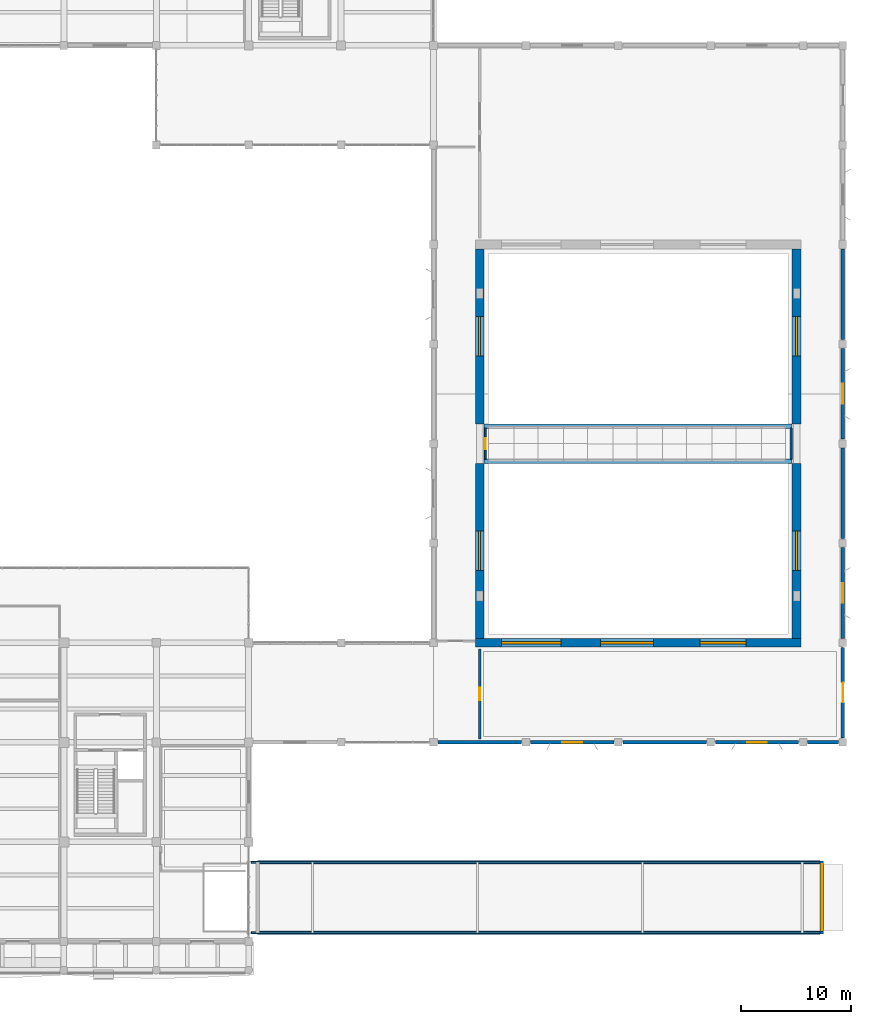
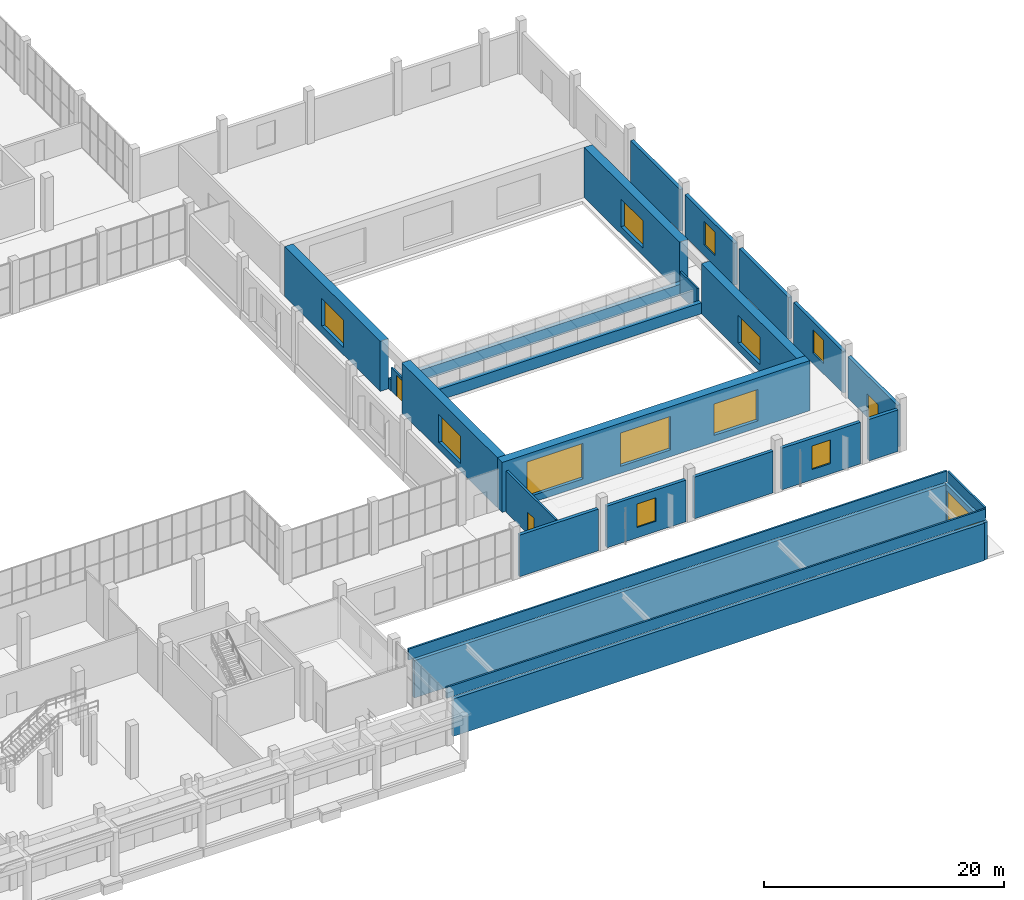
# One storey, part 83 of 91: 26 walls, 11 windows, 4 doors, 15 openings.
"""IFC4 building model written with IfcOpenShell, lengths in metres."""

import ifcopenshell
import ifcopenshell.guid

model = None  # the IFC model being written
_history = None  # IfcOwnerHistory: only IFC2X3 demands one
_inside = {}  # id of a spatial element -> (the spatial element, [elements in it])
_under = {}  # id of a project, library or spatial element -> (it, [spatial elements below it])
_declared = {}  # id of a project -> (the project, [libraries it declares])
_typed = {}  # id of a type object -> (the type object, [elements of that type])
_made_of = {}  # id of a material, layer set ... -> (it, [elements and type objects made of it])


def new_model(schema):
    """Start an empty IFC model of exactly this schema.

    Asked for "IFC4X3", IfcOpenShell would pick the latest addendum, in which some entities
    have other attributes; the version numbers below select the first issue.
    IFC2X3 requires an IfcOwnerHistory on every rooted entity: one is made here for all.
    """
    global model, _history
    if schema == "IFC4X3":
        model = ifcopenshell.file(schema_version=(4, 3, 0, 0))
    else:
        model = ifcopenshell.file(schema=schema)
    _inside.clear()
    _under.clear()
    _declared.clear()
    _typed.clear()
    _made_of.clear()
    _history = None
    if model.schema == "IFC2X3":
        org = make("IfcOrganization", Name="unknown")
        user = make(
            "IfcPersonAndOrganization",
            ThePerson=make("IfcPerson", FamilyName="unknown"),
            TheOrganization=org,
        )
        app = make(
            "IfcApplication",
            ApplicationDeveloper=org,
            Version="unknown",
            ApplicationFullName="unknown",
            ApplicationIdentifier="unknown",
        )
        _history = make(
            "IfcOwnerHistory",
            OwningUser=user,
            OwningApplication=app,
            ChangeAction="ADDED",
            CreationDate=0,
        )
    return model


def make(cls, **values):
    """One entity of the class cls with the attributes given. An attribute that is None is left unset."""
    return model.create_entity(
        cls, **{name: value for name, value in values.items() if value is not None}
    )


def rooted(cls, **values):
    """An entity with a GlobalId (a new one), such as an element, a storey or a relation."""
    return make(cls, GlobalId=ifcopenshell.guid.new(), OwnerHistory=_history, **values)


def si_unit(unit_type, name, prefix=None):
    """IfcSIUnit, for example si_unit("LENGTHUNIT", "METRE", prefix="MILLI")."""
    return make("IfcSIUnit", UnitType=unit_type, Prefix=prefix, Name=name)


def assignment(units):
    """IfcUnitAssignment: the units of a project."""
    return None if units is None else make("IfcUnitAssignment", Units=units)


def point(xyz):
    """IfcCartesianPoint."""
    return None if xyz is None else make("IfcCartesianPoint", Coordinates=xyz)


def direction(xyz):
    """IfcDirection."""
    return None if xyz is None else make("IfcDirection", DirectionRatios=xyz)


def frame(location, z_axis=None, x_axis=None):
    """IfcAxis2Placement3D, a coordinate frame: its origin and axes. An axis left out is left unset."""
    return make(
        "IfcAxis2Placement3D",
        Location=point(location),
        Axis=direction(z_axis),
        RefDirection=direction(x_axis),
    )


def frame_2d(location, x_axis=None):
    """IfcAxis2Placement2D, a coordinate frame in the plane: its origin and x axis."""
    return make(
        "IfcAxis2Placement2D", Location=point(location), RefDirection=direction(x_axis)
    )


def origin():
    """The frame at (0, 0, 0) with its axes left unset."""
    return frame((0.0, 0.0, 0.0))


def place(relative_to, where):
    """IfcLocalPlacement: puts the frame where relative to a parent placement (None: the world)."""
    return make(
        "IfcLocalPlacement", PlacementRelTo=relative_to, RelativePlacement=where
    )


def context(
    kind, dimensions, precision=None, world=None, true_north=None, identifier=None
):
    """IfcGeometricRepresentationContext, for example the 3D "Model" context."""
    return make(
        "IfcGeometricRepresentationContext",
        ContextIdentifier=identifier,
        ContextType=kind,
        CoordinateSpaceDimension=dimensions,
        Precision=precision,
        WorldCoordinateSystem=world,
        TrueNorth=true_north,
    )


def subcontext(parent, identifier, kind, view, scale=None):
    """IfcGeometricRepresentationSubContext, for example "Body" below "Model"."""
    return make(
        "IfcGeometricRepresentationSubContext",
        ContextIdentifier=identifier,
        ContextType=kind,
        ParentContext=parent,
        TargetScale=scale,
        TargetView=view,
    )


def project(units=None, contexts=None):
    """IfcProject with its units and contexts."""
    return rooted(
        "IfcProject",
        Name="project",
        RepresentationContexts=contexts,
        UnitsInContext=assignment(units),
    )


def spatial(cls, under=None, at=None, **own):
    """A site, building, storey or space (cls), placed at a placement, below another one or the project."""
    s = rooted(cls, ObjectPlacement=at, **own)
    if under is not None:
        _under.setdefault(under.id(), (under, []))[1].append(s)
    return s


def profile(cls, at=None, kind="AREA", **sizes):
    """A parametric profile (cls). Its sizes go by their IFC names, for example OverallWidth=200.0."""
    return make(cls, ProfileType=kind, Position=at, **sizes)


def rectangle(**sizes):
    """IfcRectangleProfileDef."""
    return profile("IfcRectangleProfileDef", **sizes)


def extrude(swept, where, along, depth):
    """IfcExtrudedAreaSolid: the profile swept, set in the frame where, extruded along a direction by depth."""
    return make(
        "IfcExtrudedAreaSolid",
        SweptArea=swept,
        Position=where,
        ExtrudedDirection=direction(along),
        Depth=depth,
    )


def shape(context_of_items, identifier, shape_type, items):
    """IfcShapeRepresentation: the items that make up one representation, for example the "Body"."""
    return make(
        "IfcShapeRepresentation",
        ContextOfItems=context_of_items,
        RepresentationIdentifier=identifier,
        RepresentationType=shape_type,
        Items=items,
    )


def material(Name=None, Category=None):
    """IfcMaterial."""
    return make("IfcMaterial", Name=Name, Category=Category)


def layer(
    of_material, thickness, ventilated=None, Name=None, Category=None, Priority=None
):
    """IfcMaterialLayer: one layer of a wall or slab, of a material (None: an air gap)."""
    return make(
        "IfcMaterialLayer",
        Material=of_material,
        LayerThickness=thickness,
        IsVentilated=ventilated,
        Name=Name,
        Category=Category,
        Priority=Priority,
    )


def layer_set(layers, Name=None):
    """IfcMaterialLayerSet."""
    return make("IfcMaterialLayerSet", MaterialLayers=layers, LayerSetName=Name)


def made_of(thing, what):
    """Note that an element or type object is made of a material, layer set ...; save() writes the relation."""
    if what is not None:
        _made_of.setdefault(what.id(), (what, []))[1].append(thing)
    return thing


def type_object(cls, material=None, **own):
    """A type object (cls), such as IfcWallType, which elements share."""
    return made_of(rooted(cls, **own), material)


def element(
    cls,
    number,
    at=None,
    inside=None,
    cuts=None,
    type_object=None,
    material=None,
    context=None,
    identifier="Body",
    shape_type=None,
    held_by="IfcProductDefinitionShape",
    body=None,
    shapes=None,
    **own,
):
    """One element of the class cls, such as IfcWall. Its Tag is "e" and its number.

    at: its placement. inside: the storey or other place that contains it. cuts: it is an
    opening in that element (IfcRelVoidsElement). A single representation is given by context,
    identifier, shape_type and body (its items); several are given by shapes. held_by: the class
    of the entity that holds the representations. save() writes the other relations.
    """
    e = rooted(cls, Tag="e%d" % number, ObjectPlacement=at, **own)
    if body is not None:
        shapes = [shape(context, identifier, shape_type, body)]
    if shapes is not None:
        e.Representation = make(held_by, Representations=shapes)
    if inside is not None:
        _inside.setdefault(inside.id(), (inside, []))[1].append(e)
    if cuts is not None:
        rooted(
            "IfcRelVoidsElement", RelatingBuildingElement=cuts, RelatedOpeningElement=e
        )
    if type_object is not None:
        _typed.setdefault(type_object.id(), (type_object, []))[1].append(e)
    return made_of(e, material)


def fill(opening, filler):
    """IfcRelFillsElement: the door or window that sits in an opening."""
    return rooted(
        "IfcRelFillsElement",
        RelatingOpeningElement=opening,
        RelatedBuildingElement=filler,
    )


def aggregate(whole, parts):
    """IfcRelAggregates: a whole, such as a stair, and the parts it consists of."""
    return rooted("IfcRelAggregates", RelatingObject=whole, RelatedObjects=parts)


def save(model, path):
    """Write the relations noted so far, then the file.

    IfcRelAggregates (storeys below a building ...), IfcRelContainedInSpatialStructure (elements
    in a storey), IfcRelDefinesByType, IfcRelAssociatesMaterial and IfcRelDeclares: one each for
    every whole, place, type object, material and project.
    """
    for whole, parts in _under.values():
        aggregate(whole, parts)
    for where, things in _inside.values():
        rooted(
            "IfcRelContainedInSpatialStructure",
            RelatedElements=things,
            RelatingStructure=where,
        )
    for kind, things in _typed.values():
        rooted("IfcRelDefinesByType", RelatedObjects=things, RelatingType=kind)
    for what, things in _made_of.values():
        rooted("IfcRelAssociatesMaterial", RelatedObjects=things, RelatingMaterial=what)
    for by, libraries in _declared.values():
        rooted("IfcRelDeclares", RelatingContext=by, RelatedDefinitions=libraries)
    model.write(path)


model = new_model("IFC4")

# Units and contexts
model_context = context("Model", 3, precision=1e-05, world=origin(), true_north=direction((0.0, 1.0)))
body_context = subcontext(model_context, "Body", "Model", "MODEL_VIEW")
ifc_project = project(units=[si_unit("LENGTHUNIT", "METRE"), si_unit("AREAUNIT", "SQUARE_METRE"), si_unit("VOLUMEUNIT", "CUBIC_METRE"), si_unit("PLANEANGLEUNIT", "RADIAN"), si_unit("MASSUNIT", "GRAM", prefix="KILO")], contexts=[model_context])

# Site, building, storey
site_placement = place(None, origin())
site = spatial("IfcSite", under=ifc_project, at=site_placement, CompositionType="ELEMENT")
building_placement = place(site_placement, origin())
building = spatial("IfcBuilding", under=site, at=building_placement, Name="Khurvash Pelagic Aquarium", CompositionType="ELEMENT")
storey_placement = place(building_placement, origin())
storey = spatial("IfcBuildingStorey", under=building, at=storey_placement, Name="L00", CompositionType="ELEMENT", Elevation=0.0)

# Wall, opening, door
ifc_material_1 = material(Name="Precast concrete C40/50", Category="concrete")
ifc_layer_1 = layer(ifc_material_1, 0.300048828125)
ifc_layer_set_1 = layer_set([ifc_layer_1], Name="Precast concrete C40/50")
wall_type_1 = type_object("IfcWallType", Name="EW-300", PredefinedType="STANDARD", material=ifc_layer_set_1)
wall_1_placement = place(storey_placement, frame((161.300048828125, 3.300048828125, 0.0), z_axis=(0.0, 0.0, 1.0), x_axis=(0.0, 1.0, 0.0)))
wall_1 = element("IfcWall", 1, at=wall_1_placement, inside=storey, type_object=wall_type_1, Name="L00 Car Park Ramp East Portal Wall", PredefinedType="STANDARD", context=body_context, shape_type="SweptSolid", body=[
    extrude(rectangle(XDim=6.599853515625, YDim=0.300048828125, at=frame_2d((3.2998046875, 0.0))), origin(), (0.0, 0.0, 1.0), 3.800048828125),
])
opening_1_placement = place(wall_1_placement, frame((0.300048828125, 0.0, 0.0)))
opening_1 = element("IfcOpeningElement", 2, at=opening_1_placement, cuts=wall_1, Name="Opening VG-01", PredefinedType="OPENING", context=body_context, shape_type="SweptSolid", body=[
    extrude(rectangle(XDim=6.0, YDim=3.199951171875, at=frame_2d((3.0, 1.60009765625))), frame((0.0, 0.16015625, 0.0), z_axis=(0.0, -1.0, 0.0), x_axis=(1.0, 0.0, 0.0)), (0.0, 0.0, 1.0), 0.320068359375),
])
ifc_material_2 = material(Name="Perforated anodised aluminium roller shutter", Category="aluminium")
door_type_1 = type_object("IfcDoorType", Name="VG-01", OperationType="ROLLINGUP", PredefinedType="GATE", material=ifc_material_2)
door_1_placement = place(opening_1_placement, frame((6.0, 0.0, 0.0), z_axis=(0.0, 0.0, 1.0), x_axis=(-1.0, 0.0, 0.0)))
door_1 = element("IfcDoor", 3, at=door_1_placement, inside=storey, type_object=door_type_1, Name="DR-0062", OperationType="ROLLINGUP", OverallHeight=3.199951171875, OverallWidth=6.0, PredefinedType="GATE", context=body_context, shape_type="SweptSolid", body=[
    extrude(rectangle(XDim=6.0, YDim=3.199951171875, at=frame_2d((3.0, 1.60009765625))), frame((0.0, 0.02490234375, 0.0), z_axis=(0.0, -1.0, 0.0), x_axis=(1.0, 0.0, 0.0)), (0.0, 0.0, 1.0), 0.050048828125),
])
fill(opening_1, door_1)

ifc_layer_2 = layer(ifc_material_1, 0.320068359375)
ifc_layer_set_2 = layer_set([ifc_layer_2], Name="Precast concrete C40/50")
wall_type_2 = type_object("IfcWallType", Name="EW-320", PredefinedType="STANDARD", material=ifc_layer_set_2)
wall_2_placement = place(storey_placement, frame((163.199951171875, 21.110107421875, 0.0), z_axis=(0.0, 0.0, 1.0), x_axis=(0.0, 1.0, 0.0)))
wall_2 = element("IfcWall", 4, at=wall_2_placement, inside=storey, type_object=wall_type_2, Name="L00 Ocean Tank Hall East Containment Wall EW-320 B1", PredefinedType="STANDARD", context=body_context, shape_type="SweptSolid", body=[
    extrude(rectangle(XDim=8.22998046875, YDim=0.320068359375, at=frame_2d((4.114990234375, 0.0))), origin(), (0.0, 0.0, 1.0), 4.239990234375),
])
opening_2_placement = place(wall_2_placement, frame((3.215087890625, 0.0, 0.0)))
opening_2 = element("IfcOpeningElement", 5, at=opening_2_placement, cuts=wall_2, Name="Opening ED-01", PredefinedType="OPENING", context=body_context, shape_type="SweptSolid", body=[
    extrude(rectangle(XDim=1.800048828125, YDim=2.39990234375, at=frame_2d((0.89990234375, 1.199951171875))), frame((0.0, 0.169921875, 0.0), z_axis=(0.0, -1.0, 0.0), x_axis=(1.0, 0.0, 0.0)), (0.0, 0.0, 1.0), 0.340087890625),
])
ifc_material_3 = material(Name="Thermally broken glazed aluminium", Category="aluminium")
door_type_2 = type_object("IfcDoorType", Name="ED-01", OperationType="DOUBLE_DOOR_SINGLE_SWING", PredefinedType="DOOR", material=ifc_material_3)
door_2_placement = place(opening_2_placement, frame((1.800048828125, 0.0, 0.0), z_axis=(0.0, 0.0, 1.0), x_axis=(-1.0, 0.0, 0.0)))
door_2 = element("IfcDoor", 6, at=door_2_placement, inside=storey, type_object=door_type_2, Name="DR-0060", OperationType="DOUBLE_DOOR_SINGLE_SWING", OverallHeight=2.39990234375, OverallWidth=1.800048828125, PredefinedType="DOOR", context=body_context, shape_type="SweptSolid", body=[
    extrude(rectangle(XDim=1.800048828125, YDim=2.39990234375, at=frame_2d((0.89990234375, 1.199951171875))), frame((0.0, 0.02490234375, 0.0), z_axis=(0.0, -1.0, 0.0), x_axis=(1.0, 0.0, 0.0)), (0.0, 0.0, 1.0), 0.050048828125),
])
fill(opening_2, door_2)

# Wall, opening, window
wall_3_placement = place(storey_placement, frame((163.199951171875, 30.159912109375, 0.0), z_axis=(0.0, 0.0, 1.0), x_axis=(0.0, 1.0, 0.0)))
wall_3 = element("IfcWall", 7, at=wall_3_placement, inside=storey, type_object=wall_type_2, Name="L00 Ocean Tank Hall East Containment Wall EW-320 B2", PredefinedType="STANDARD", context=body_context, shape_type="SweptSolid", body=[
    extrude(rectangle(XDim=8.22998046875, YDim=0.320068359375, at=frame_2d((4.114990234375, 0.0))), origin(), (0.0, 0.0, 1.0), 4.239990234375),
])
opening_3_placement = place(wall_3_placement, frame((3.215087890625, 0.0, 1.050048828125)))
opening_3 = element("IfcOpeningElement", 8, at=opening_3_placement, cuts=wall_3, Name="Opening WN-01", PredefinedType="OPENING", context=body_context, shape_type="SweptSolid", body=[
    extrude(rectangle(XDim=1.800048828125, YDim=2.39990234375, at=frame_2d((0.89990234375, 1.199951171875))), frame((0.0, 0.169921875, 0.0), z_axis=(0.0, -1.0, 0.0), x_axis=(1.0, 0.0, 0.0)), (0.0, 0.0, 1.0), 0.340087890625),
])
ifc_material_4 = material(Name="Thermally broken aluminium and low-E glass", Category="aluminium")
window_type_1 = type_object("IfcWindowType", Name="WN-01", PartitioningType="SINGLE_PANEL", PredefinedType="WINDOW", material=ifc_material_4)
window_1_placement = place(opening_3_placement, origin())
window_1 = element("IfcWindow", 9, at=window_1_placement, inside=storey, type_object=window_type_1, Name="L00 Ocean Hall Deep-Set Oceanic Portal Window WN-01", OverallHeight=2.39990234375, OverallWidth=1.800048828125, PartitioningType="SINGLE_PANEL", PredefinedType="WINDOW", context=body_context, shape_type="SweptSolid", body=[
    extrude(rectangle(XDim=1.800048828125, YDim=2.39990234375, at=frame_2d((0.89990234375, 1.199951171875))), frame((0.0, 0.030029296875, 0.0), z_axis=(0.0, -1.0, 0.0), x_axis=(1.0, 0.0, 0.0)), (0.0, 0.0, 1.0), 0.06005859375),
])
fill(opening_3, window_1)

# Wall
wall_4_placement = place(storey_placement, frame((163.199951171875, 39.2099609375, 0.0), z_axis=(0.0, 0.0, 1.0), x_axis=(0.0, 1.0, 0.0)))
element("IfcWall", 10, at=wall_4_placement, inside=storey, type_object=wall_type_2, Name="L00 Ocean Tank Hall East Containment Wall EW-320 B3", PredefinedType="STANDARD", context=body_context, shape_type="SweptSolid", body=[
    extrude(rectangle(XDim=8.22998046875, YDim=0.320068359375, at=frame_2d((4.114990234375, 0.0))), origin(), (0.0, 0.0, 1.0), 4.239990234375),
])

# Wall, opening, window
wall_5_placement = place(storey_placement, frame((163.199951171875, 48.260009765625, 0.0), z_axis=(0.0, 0.0, 1.0), x_axis=(0.0, 1.0, 0.0)))
wall_5 = element("IfcWall", 11, at=wall_5_placement, inside=storey, type_object=wall_type_2, Name="L00 Ocean Tank Hall East Containment Wall EW-320 B4", PredefinedType="STANDARD", context=body_context, shape_type="SweptSolid", body=[
    extrude(rectangle(XDim=8.22998046875, YDim=0.320068359375, at=frame_2d((4.114990234375, 0.0))), origin(), (0.0, 0.0, 1.0), 4.239990234375),
])
opening_4_placement = place(wall_5_placement, frame((3.215087890625, 0.0, 1.050048828125)))
opening_4 = element("IfcOpeningElement", 12, at=opening_4_placement, cuts=wall_5, Name="Opening WN-01", PredefinedType="OPENING", context=body_context, shape_type="SweptSolid", body=[
    extrude(rectangle(XDim=1.800048828125, YDim=2.39990234375, at=frame_2d((0.89990234375, 1.199951171875))), frame((0.0, 0.169921875, 0.0), z_axis=(0.0, -1.0, 0.0), x_axis=(1.0, 0.0, 0.0)), (0.0, 0.0, 1.0), 0.340087890625),
])
window_2_placement = place(opening_4_placement, origin())
window_2 = element("IfcWindow", 13, at=window_2_placement, inside=storey, type_object=window_type_1, Name="L00 Ocean Hall Deep-Set Oceanic Portal Window WN-01", OverallHeight=2.39990234375, OverallWidth=1.800048828125, PartitioningType="SINGLE_PANEL", PredefinedType="WINDOW", context=body_context, shape_type="SweptSolid", body=[
    extrude(rectangle(XDim=1.800048828125, YDim=2.39990234375, at=frame_2d((0.89990234375, 1.199951171875))), frame((0.0, 0.030029296875, 0.0), z_axis=(0.0, -1.0, 0.0), x_axis=(1.0, 0.0, 0.0)), (0.0, 0.0, 1.0), 0.06005859375),
])
fill(opening_4, window_2)

# Walls
wall_6_placement = place(storey_placement, frame((163.199951171875, 57.31005859375, 0.0), z_axis=(0.0, 0.0, 1.0), x_axis=(0.0, 1.0, 0.0)))
element("IfcWall", 14, at=wall_6_placement, inside=storey, type_object=wall_type_2, Name="L00 Ocean Tank Hall East Containment Wall EW-320 B5", PredefinedType="STANDARD", context=body_context, shape_type="SweptSolid", body=[
    extrude(rectangle(XDim=8.22998046875, YDim=0.320068359375, at=frame_2d((4.114990234375, 0.0))), origin(), (0.0, 0.0, 1.0), 4.239990234375),
])
wall_7_placement = place(storey_placement, frame((126.409912109375, 20.699951171875, 0.0), z_axis=(0.0, 0.0, 1.0), x_axis=(1.0, 0.0, 0.0)))
element("IfcWall", 15, at=wall_7_placement, inside=storey, type_object=wall_type_2, Name="L00 Ocean Tank Hall South Containment Wall EW-320 B1.1", PredefinedType="STANDARD", context=body_context, shape_type="SweptSolid", body=[
    extrude(rectangle(XDim=7.580078125, YDim=0.320068359375, at=frame_2d((3.7900390625, 0.0))), origin(), (0.0, 0.0, 1.0), 4.22998046875),
])

# Wall, opening, window
wall_8_placement = place(storey_placement, frame((134.81005859375, 20.699951171875, 0.0), z_axis=(0.0, 0.0, 1.0), x_axis=(1.0, 0.0, 0.0)))
wall_8 = element("IfcWall", 16, at=wall_8_placement, inside=storey, type_object=wall_type_2, Name="L00 Ocean Tank Hall South Containment Wall EW-320 B2.1", PredefinedType="STANDARD", context=body_context, shape_type="SweptSolid", body=[
    extrude(rectangle(XDim=7.579833984375, YDim=0.320068359375, at=frame_2d((3.7900390625, 0.0))), origin(), (0.0, 0.0, 1.0), 4.22998046875),
])
opening_5_placement = place(wall_8_placement, frame((2.889892578125, 0.0, 1.050048828125)))
opening_5 = element("IfcOpeningElement", 17, at=opening_5_placement, cuts=wall_8, Name="Opening WN-01", PredefinedType="OPENING", context=body_context, shape_type="SweptSolid", body=[
    extrude(rectangle(XDim=1.800048828125, YDim=2.39990234375, at=frame_2d((0.89990234375, 1.199951171875))), frame((0.0, 0.169921875, 0.0), z_axis=(0.0, -1.0, 0.0), x_axis=(1.0, 0.0, 0.0)), (0.0, 0.0, 1.0), 0.340087890625),
])
window_3_placement = place(opening_5_placement, origin())
window_3 = element("IfcWindow", 18, at=window_3_placement, inside=storey, type_object=window_type_1, Name="L00 Ocean Hall South Viewing Portal Window WN-01", OverallHeight=2.39990234375, OverallWidth=1.800048828125, PartitioningType="SINGLE_PANEL", PredefinedType="WINDOW", context=body_context, shape_type="SweptSolid", body=[
    extrude(rectangle(XDim=1.800048828125, YDim=2.39990234375, at=frame_2d((0.89990234375, 1.199951171875))), frame((0.0, 0.030029296875, 0.0), z_axis=(0.0, -1.0, 0.0), x_axis=(1.0, 0.0, 0.0)), (0.0, 0.0, 1.0), 0.06005859375),
])
fill(opening_5, window_3)

# Wall
wall_9_placement = place(storey_placement, frame((143.2099609375, 20.699951171875, 0.0), z_axis=(0.0, 0.0, 1.0), x_axis=(1.0, 0.0, 0.0)))
element("IfcWall", 19, at=wall_9_placement, inside=storey, type_object=wall_type_2, Name="L00 Ocean Tank Hall South Containment Wall EW-320 B3.1", PredefinedType="STANDARD", context=body_context, shape_type="SweptSolid", body=[
    extrude(rectangle(XDim=7.580078125, YDim=0.320068359375, at=frame_2d((3.7900390625, 0.0))), origin(), (0.0, 0.0, 1.0), 4.22998046875),
])

# Wall, opening, window
wall_10_placement = place(storey_placement, frame((151.610107421875, 20.699951171875, 0.0), z_axis=(0.0, 0.0, 1.0), x_axis=(1.0, 0.0, 0.0)))
wall_10 = element("IfcWall", 20, at=wall_10_placement, inside=storey, type_object=wall_type_2, Name="L00 Ocean Tank Hall South Containment Wall EW-320 B4.1", PredefinedType="STANDARD", context=body_context, shape_type="SweptSolid", body=[
    extrude(rectangle(XDim=7.579833984375, YDim=0.320068359375, at=frame_2d((3.7900390625, 0.0))), origin(), (0.0, 0.0, 1.0), 4.22998046875),
])
opening_6_placement = place(wall_10_placement, frame((2.889892578125, 0.0, 1.050048828125)))
opening_6 = element("IfcOpeningElement", 21, at=opening_6_placement, cuts=wall_10, Name="Opening WN-01", PredefinedType="OPENING", context=body_context, shape_type="SweptSolid", body=[
    extrude(rectangle(XDim=1.800048828125, YDim=2.39990234375, at=frame_2d((0.89990234375, 1.199951171875))), frame((0.0, 0.169921875, 0.0), z_axis=(0.0, -1.0, 0.0), x_axis=(1.0, 0.0, 0.0)), (0.0, 0.0, 1.0), 0.340087890625),
])
window_4_placement = place(opening_6_placement, origin())
window_4 = element("IfcWindow", 22, at=window_4_placement, inside=storey, type_object=window_type_1, Name="L00 Ocean Hall South Viewing Portal Window WN-01", OverallHeight=2.39990234375, OverallWidth=1.800048828125, PartitioningType="SINGLE_PANEL", PredefinedType="WINDOW", context=body_context, shape_type="SweptSolid", body=[
    extrude(rectangle(XDim=1.800048828125, YDim=2.39990234375, at=frame_2d((0.89990234375, 1.199951171875))), frame((0.0, 0.030029296875, 0.0), z_axis=(0.0, -1.0, 0.0), x_axis=(1.0, 0.0, 0.0)), (0.0, 0.0, 1.0), 0.06005859375),
])
fill(opening_6, window_4)

# Walls
wall_11_placement = place(storey_placement, frame((160.010009765625, 20.699951171875, 0.0), z_axis=(0.0, 0.0, 1.0), x_axis=(1.0, 0.0, 0.0)))
element("IfcWall", 23, at=wall_11_placement, inside=storey, type_object=wall_type_2, Name="L00 Ocean Tank Hall South Containment Wall EW-320 B5.1", PredefinedType="STANDARD", context=body_context, shape_type="SweptSolid", body=[
    extrude(rectangle(XDim=2.780029296875, YDim=0.320068359375, at=frame_2d((1.39013671875, 0.0))), origin(), (0.0, 0.0, 1.0), 4.22998046875),
])
ifc_layer_3 = layer(ifc_material_1, 0.179931640625)
ifc_layer_set_3 = layer_set([ifc_layer_3], Name="Precast concrete C40/50")
wall_type_3 = type_object("IfcWallType", Name="PP-180", PredefinedType="PARAPET", material=ifc_layer_set_3)
wall_12_placement = place(storey_placement, frame((109.449951171875, 3.39990234375, 4.02001953125), z_axis=(0.0, 0.0, 1.0), x_axis=(1.0, 0.0, 0.0)))
element("IfcWall", 24, at=wall_12_placement, inside=storey, type_object=wall_type_3, Name="L00 Ramp Hood Roof Parapet PP-180", PredefinedType="PARAPET", context=body_context, shape_type="SweptSolid", body=[
    extrude(rectangle(XDim=51.800048828125, YDim=0.179931640625, at=frame_2d((25.89990234375, 0.0))), origin(), (0.0, 0.0, 1.0), 1.119873046875),
])
wall_13_placement = place(storey_placement, frame((161.35009765625, 3.550048828125, 4.02001953125), z_axis=(0.0, 0.0, 1.0), x_axis=(0.0, 1.0, 0.0)))
element("IfcWall", 25, at=wall_13_placement, inside=storey, type_object=wall_type_3, Name="L00 Ramp Hood Roof Parapet PP-180", PredefinedType="PARAPET", context=body_context, shape_type="SweptSolid", body=[
    extrude(rectangle(XDim=6.099853515625, YDim=0.179931640625, at=frame_2d((3.0498046875, 0.0))), origin(), (0.0, 0.0, 1.0), 1.119873046875),
])
wall_14_placement = place(storey_placement, frame((161.25, 9.800048828125, 4.02001953125), z_axis=(0.0, 0.0, 1.0), x_axis=(-1.0, 0.0, 0.0)))
element("IfcWall", 26, at=wall_14_placement, inside=storey, type_object=wall_type_3, Name="L00 Ramp Hood Roof Parapet PP-180", PredefinedType="PARAPET", context=body_context, shape_type="SweptSolid", body=[
    extrude(rectangle(XDim=51.800048828125, YDim=0.179931640625, at=frame_2d((25.89990234375, 0.0))), origin(), (0.0, 0.0, 1.0), 1.119873046875),
])

# Wall, opening, door
ifc_material_5 = material(Name="AAC blockwork", Category="masonry")
ifc_layer_4 = layer(ifc_material_5, 0.169921875)
ifc_layer_set_4 = layer_set([ifc_layer_4], Name="AAC blockwork")
wall_type_4 = type_object("IfcWallType", Name="PW-170", PredefinedType="PARTITIONING", material=ifc_layer_set_4)
wall_15_placement = place(storey_placement, frame((130.699951171875, 46.43505859375, 0.0), z_axis=(0.0, 0.0, 1.0), x_axis=(0.0, 1.0, 0.0)))
wall_15 = element("IfcWall", 27, at=wall_15_placement, inside=storey, type_object=wall_type_4, Name="L00 Underwater Pelagic Walkthrough Tunnel Partition Wall PW-170", PredefinedType="PARTITIONING", context=body_context, shape_type="SweptSolid", body=[
    extrude(rectangle(XDim=2.829833984375, YDim=0.169921875, at=frame_2d((1.4150390625, 0.0))), origin(), (0.0, 0.0, 1.0), 2.39990234375),
])
opening_7_placement = place(wall_15_placement, frame((0.9150390625, 0.0, 0.0)))
opening_7 = element("IfcOpeningElement", 28, at=opening_7_placement, cuts=wall_15, Name="Opening ID-02", PredefinedType="OPENING", context=body_context, shape_type="SweptSolid", body=[
    extrude(rectangle(XDim=1.0, YDim=2.14990234375, at=frame_2d((0.5, 1.074951171875))), frame((0.0, 0.094970703125, 0.0), z_axis=(0.0, -1.0, 0.0), x_axis=(1.0, 0.0, 0.0)), (0.0, 0.0, 1.0), 0.18994140625),
])
ifc_material_6 = material(Name="High-pressure laminate solid-core timber", Category="wood")
door_type_3 = type_object("IfcDoorType", Name="ID-02", OperationType="NOTDEFINED", PredefinedType="DOOR", material=ifc_material_6)
door_3_placement = place(opening_7_placement, frame((1.0, 0.0, 0.0), z_axis=(0.0, 0.0, 1.0), x_axis=(-1.0, 0.0, 0.0)))
door_3 = element("IfcDoor", 29, at=door_3_placement, inside=storey, type_object=door_type_3, Name="DR-0072", OperationType="SINGLE_SWING_LEFT", OverallHeight=2.14990234375, OverallWidth=1.0, PredefinedType="DOOR", context=body_context, shape_type="SweptSolid", body=[
    extrude(rectangle(XDim=1.0, YDim=2.14990234375, at=frame_2d((0.5, 1.074951171875))), frame((0.0, 0.02490234375, 0.0), z_axis=(0.0, -1.0, 0.0), x_axis=(1.0, 0.0, 0.0)), (0.0, 0.0, 1.0), 0.050048828125),
])
fill(opening_7, door_3)

# Wall
wall_16_placement = place(storey_placement, frame((158.5, 46.43505859375, 0.0), z_axis=(0.0, 0.0, 1.0), x_axis=(0.0, 1.0, 0.0)))
element("IfcWall", 30, at=wall_16_placement, inside=storey, type_object=wall_type_4, Name="L00 Underwater Pelagic Walkthrough Tunnel Partition Wall PW-170", PredefinedType="PARTITIONING", context=body_context, shape_type="SweptSolid", body=[
    extrude(rectangle(XDim=2.829833984375, YDim=0.169921875, at=frame_2d((1.4150390625, 0.0))), origin(), (0.0, 0.0, 1.0), 2.39990234375),
])

# Wall, opening, door
ifc_layer_5 = layer(ifc_material_5, 0.199951171875)
ifc_layer_set_5 = layer_set([ifc_layer_5], Name="AAC blockwork")
wall_type_5 = type_object("IfcWallType", Name="PW-200", PredefinedType="PARTITIONING", material=ifc_layer_set_5)
wall_17_placement = place(storey_placement, frame((130.199951171875, 21.0, 0.0), z_axis=(0.0, 0.0, 1.0), x_axis=(0.0, 1.0, 0.0)))
wall_17 = element("IfcWall", 31, at=wall_17_placement, inside=storey, type_object=wall_type_5, Name="L00 Main Ocean Tank South Viewing Hall Partition Wall PW-200", PredefinedType="PARTITIONING", context=body_context, shape_type="SweptSolid", body=[
    extrude(rectangle(XDim=8.199951171875, YDim=0.199951171875, at=frame_2d((4.10009765625, 0.0))), origin(), (0.0, 0.0, 1.0), 4.22998046875),
])
opening_8_placement = place(wall_17_placement, frame((3.5400390625, 0.0, 0.0)))
opening_8 = element("IfcOpeningElement", 32, at=opening_8_placement, cuts=wall_17, Name="Opening ID-04", PredefinedType="OPENING", context=body_context, shape_type="SweptSolid", body=[
    extrude(rectangle(XDim=1.1201171875, YDim=2.199951171875, at=frame_2d((0.56005859375, 1.10009765625))), frame((0.0, 0.10986328125, 0.0), z_axis=(0.0, -1.0, 0.0), x_axis=(1.0, 0.0, 0.0)), (0.0, 0.0, 1.0), 0.219970703125),
])
ifc_material_7 = material(Name="Acoustic solid-core timber", Category="wood")
door_type_4 = type_object("IfcDoorType", Name="ID-04", OperationType="NOTDEFINED", PredefinedType="DOOR", material=ifc_material_7)
door_4_placement = place(opening_8_placement, frame((1.1201171875, 0.0, 0.0), z_axis=(0.0, 0.0, 1.0), x_axis=(-1.0, 0.0, 0.0)))
door_4 = element("IfcDoor", 33, at=door_4_placement, inside=storey, type_object=door_type_4, Name="DR-0071", OperationType="SINGLE_SWING_RIGHT", OverallHeight=2.199951171875, OverallWidth=1.1201171875, PredefinedType="DOOR", context=body_context, shape_type="SweptSolid", body=[
    extrude(rectangle(XDim=1.1201171875, YDim=2.199951171875, at=frame_2d((0.56005859375, 1.10009765625))), frame((0.0, 0.02490234375, 0.0), z_axis=(0.0, -1.0, 0.0), x_axis=(1.0, 0.0, 0.0)), (0.0, 0.0, 1.0), 0.050048828125),
])
fill(opening_8, door_4)

# Walls
ifc_material_8 = material(Name="Concrete C40/50", Category="concrete")
ifc_layer_6 = layer(ifc_material_8, 0.31494140625)
ifc_layer_set_6 = layer_set([ifc_layer_6], Name="Concrete C40/50")
wall_type_6 = type_object("IfcWallType", Name="SW-315", PredefinedType="SHEAR", material=ifc_layer_set_6)
for number, where, z_axis, x_axis, name in (
    (34, (110.010009765625, 3.3798828125, 0.0), (0.0, 0.0, 1.0), (1.0, 0.0, 0.0), "L00 Car Park Ramp South Headhouse Enclosure Wall"),
    (35, (110.010009765625, 9.820068359375, 0.0), (0.0, 0.0, 1.0), (1.0, 0.0, 0.0), "L00 Car Park Ramp North Headhouse Enclosure Wall"),
):
    element("IfcWall", number, at=place(storey_placement, frame(where, z_axis=z_axis, x_axis=x_axis)), inside=storey, type_object=wall_type_6, Name=name, PredefinedType="SHEAR", context=body_context, shape_type="SweptSolid", body=[
        extrude(rectangle(XDim=51.110107421875, YDim=0.31494140625, at=frame_2d((25.55517578125, 0.0))), origin(), (0.0, 0.0, 1.0), 3.800048828125),
    ])
ifc_material_9 = material(Name="Water-retaining concrete C40/50", Category="concrete")
ifc_layer_7 = layer(ifc_material_9, 0.39990234375)
ifc_layer_set_7 = layer_set([ifc_layer_7], Name="Water-retaining concrete C40/50")
wall_type_7 = type_object("IfcWallType", Name="TW-400", PredefinedType="SOLIDWALL", material=ifc_layer_set_7)
for number, where, z_axis, x_axis, name in (
    (36, (130.60009765625, 46.25, 0.0), (0.0, 0.0, 1.0), (1.0, 0.0, 0.0), "L00 Walkthrough Tunnel South Plinth Wall TW-400"),
    (37, (130.60009765625, 49.449951171875, 0.0), (0.0, 0.0, 1.0), (1.0, 0.0, 0.0), "L00 Walkthrough Tunnel North Plinth Wall TW-400"),
):
    element("IfcWall", number, at=place(storey_placement, frame(where, z_axis=z_axis, x_axis=x_axis)), inside=storey, type_object=wall_type_7, Name=name, PredefinedType="SOLIDWALL", context=body_context, shape_type="SweptSolid", body=[
        extrude(rectangle(XDim=28.0, YDim=0.39990234375, at=frame_2d((14.0, 0.0))), origin(), (0.0, 0.0, 1.0), 1.1201171875),
    ])

# Wall, openings, windows
ifc_layer_8 = layer(ifc_material_9, 0.800048828125)
ifc_layer_set_8 = layer_set([ifc_layer_8], Name="Water-retaining concrete C40/50")
wall_type_8 = type_object("IfcWallType", Name="TW-800", PredefinedType="SOLIDWALL", material=ifc_layer_set_8)
wall_18_placement = place(storey_placement, frame((129.800048828125, 29.75, 0.0), z_axis=(0.0, 0.0, 1.0), x_axis=(1.0, 0.0, 0.0)))
wall_18 = element("IfcWall", 38, at=wall_18_placement, inside=storey, type_object=wall_type_8, Name="L00 Ocean Tank South Containment Wall TW-800", PredefinedType="SOLIDWALL", context=body_context, shape_type="SweptSolid", body=[
    extrude(rectangle(XDim=29.599853515625, YDim=0.800048828125, at=frame_2d((14.7998046875, 0.0))), origin(), (0.0, 0.0, 1.0), 5.090087890625),
])
opening_9_placement = place(wall_18_placement, frame((2.39990234375, 0.0, 0.699951171875)))
opening_9 = element("IfcOpeningElement", 39, at=opening_9_placement, cuts=wall_18, Name="Opening VW-01", PredefinedType="OPENING", context=body_context, shape_type="SweptSolid", body=[
    extrude(rectangle(XDim=5.39990234375, YDim=3.60009765625, at=frame_2d((2.699951171875, 1.800048828125))), frame((0.0, 0.41015625, 0.0), z_axis=(0.0, -1.0, 0.0), x_axis=(1.0, 0.0, 0.0)), (0.0, 0.0, 1.0), 0.820068359375),
])
opening_10_placement = place(wall_18_placement, frame((11.39990234375, 0.0, 0.699951171875)))
opening_10 = element("IfcOpeningElement", 40, at=opening_10_placement, cuts=wall_18, Name="Opening VW-02", PredefinedType="OPENING", context=body_context, shape_type="SweptSolid", body=[
    extrude(rectangle(XDim=4.800048828125, YDim=3.39990234375, at=frame_2d((2.39990234375, 1.699951171875))), frame((0.0, 0.41015625, 0.0), z_axis=(0.0, -1.0, 0.0), x_axis=(1.0, 0.0, 0.0)), (0.0, 0.0, 1.0), 0.820068359375),
])
opening_11_placement = place(wall_18_placement, frame((20.39990234375, 0.0, 0.699951171875)))
opening_11 = element("IfcOpeningElement", 41, at=opening_11_placement, cuts=wall_18, Name="Opening VW-03", PredefinedType="OPENING", context=body_context, shape_type="SweptSolid", body=[
    extrude(rectangle(XDim=4.199951171875, YDim=3.199951171875, at=frame_2d((2.10009765625, 1.60009765625))), frame((0.0, 0.41015625, 0.0), z_axis=(0.0, -1.0, 0.0), x_axis=(1.0, 0.0, 0.0)), (0.0, 0.0, 1.0), 0.820068359375),
])
ifc_material_10 = material(Name="Monolithic cast polymethyl methacrylate PMMA", Category="glass")
window_type_2 = type_object("IfcWindowType", Name="VW-01", PartitioningType="SINGLE_PANEL", PredefinedType="WINDOW", material=ifc_material_10)
window_5_placement = place(opening_9_placement, origin())
window_5 = element("IfcWindow", 42, at=window_5_placement, inside=storey, type_object=window_type_2, Name="L00 Ocean Tank Cast-PMMA Viewing Portal VW-01", OverallHeight=3.60009765625, OverallWidth=5.39990234375, PartitioningType="SINGLE_PANEL", PredefinedType="WINDOW", context=body_context, shape_type="SweptSolid", body=[
    extrude(rectangle(XDim=5.39990234375, YDim=3.60009765625, at=frame_2d((2.699951171875, 1.800048828125))), frame((0.0, 0.1201171875, 0.0), z_axis=(0.0, -1.0, 0.0), x_axis=(1.0, 0.0, 0.0)), (0.0, 0.0, 1.0), 0.239990234375),
])
fill(opening_9, window_5)
window_type_3 = type_object("IfcWindowType", Name="VW-02", PartitioningType="SINGLE_PANEL", PredefinedType="WINDOW", material=ifc_material_10)
window_6_placement = place(opening_10_placement, origin())
window_6 = element("IfcWindow", 43, at=window_6_placement, inside=storey, type_object=window_type_3, Name="L00 Ocean Tank Cast-PMMA Viewing Portal VW-02", OverallHeight=3.39990234375, OverallWidth=4.800048828125, PartitioningType="SINGLE_PANEL", PredefinedType="WINDOW", context=body_context, shape_type="SweptSolid", body=[
    extrude(rectangle(XDim=4.800048828125, YDim=3.39990234375, at=frame_2d((2.39990234375, 1.699951171875))), frame((0.0, 0.10986328125, 0.0), z_axis=(0.0, -1.0, 0.0), x_axis=(1.0, 0.0, 0.0)), (0.0, 0.0, 1.0), 0.219970703125),
])
fill(opening_10, window_6)
window_type_4 = type_object("IfcWindowType", Name="VW-03", PartitioningType="SINGLE_PANEL", PredefinedType="WINDOW", material=ifc_material_10)
window_7_placement = place(opening_11_placement, origin())
window_7 = element("IfcWindow", 44, at=window_7_placement, inside=storey, type_object=window_type_4, Name="L00 Ocean Tank Cast-PMMA Viewing Portal VW-03", OverallHeight=3.199951171875, OverallWidth=4.199951171875, PartitioningType="SINGLE_PANEL", PredefinedType="WINDOW", context=body_context, shape_type="SweptSolid", body=[
    extrude(rectangle(XDim=4.199951171875, YDim=3.199951171875, at=frame_2d((2.10009765625, 1.60009765625))), frame((0.0, 0.10009765625, 0.0), z_axis=(0.0, -1.0, 0.0), x_axis=(1.0, 0.0, 0.0)), (0.0, 0.0, 1.0), 0.199951171875),
])
fill(opening_11, window_7)

# Wall, opening, window
wall_19_placement = place(storey_placement, frame((130.199951171875, 30.14990234375, 0.0), z_axis=(0.0, 0.0, 1.0), x_axis=(0.0, 1.0, 0.0)))
wall_19 = element("IfcWall", 45, at=wall_19_placement, inside=storey, type_object=wall_type_8, Name="L00 Ocean Tank West Containment Wall TW-800 A", PredefinedType="SOLIDWALL", context=body_context, shape_type="SweptSolid", body=[
    extrude(rectangle(XDim=15.900146484375, YDim=0.800048828125, at=frame_2d((7.9501953125, 0.0))), origin(), (0.0, 0.0, 1.0), 5.090087890625),
])
opening_12_placement = place(wall_19_placement, frame((6.14990234375, 0.0, 0.75)))
opening_12 = element("IfcOpeningElement", 46, at=opening_12_placement, cuts=wall_19, Name="Opening VW-04", PredefinedType="OPENING", context=body_context, shape_type="SweptSolid", body=[
    extrude(rectangle(XDim=3.60009765625, YDim=2.800048828125, at=frame_2d((1.800048828125, 1.39990234375))), frame((0.0, 0.41015625, 0.0), z_axis=(0.0, -1.0, 0.0), x_axis=(1.0, 0.0, 0.0)), (0.0, 0.0, 1.0), 0.820068359375),
])
window_type_5 = type_object("IfcWindowType", Name="VW-04", PartitioningType="SINGLE_PANEL", PredefinedType="WINDOW", material=ifc_material_10)
window_8_placement = place(opening_12_placement, origin())
window_8 = element("IfcWindow", 47, at=window_8_placement, inside=storey, type_object=window_type_5, Name="L00 Ocean Tank Cast-PMMA Viewing Window VW-04", OverallHeight=2.800048828125, OverallWidth=3.60009765625, PartitioningType="SINGLE_PANEL", PredefinedType="WINDOW", context=body_context, shape_type="SweptSolid", body=[
    extrude(rectangle(XDim=3.60009765625, YDim=2.800048828125, at=frame_2d((1.800048828125, 1.39990234375))), frame((0.0, 0.092529296875, 0.0), z_axis=(0.0, -1.0, 0.0), x_axis=(1.0, 0.0, 0.0)), (0.0, 0.0, 1.0), 0.18505859375),
])
fill(opening_12, window_8)

wall_20_placement = place(storey_placement, frame((130.199951171875, 49.64990234375, 0.0), z_axis=(0.0, 0.0, 1.0), x_axis=(0.0, 1.0, 0.0)))
wall_20 = element("IfcWall", 48, at=wall_20_placement, inside=storey, type_object=wall_type_8, Name="L00 Ocean Tank West Containment Wall TW-800 B", PredefinedType="SOLIDWALL", context=body_context, shape_type="SweptSolid", body=[
    extrude(rectangle(XDim=15.900146484375, YDim=0.800048828125, at=frame_2d((7.9501953125, 0.0))), origin(), (0.0, 0.0, 1.0), 5.090087890625),
])
opening_13_placement = place(wall_20_placement, frame((6.14990234375, 0.0, 0.75)))
opening_13 = element("IfcOpeningElement", 49, at=opening_13_placement, cuts=wall_20, Name="Opening VW-04", PredefinedType="OPENING", context=body_context, shape_type="SweptSolid", body=[
    extrude(rectangle(XDim=3.60009765625, YDim=2.800048828125, at=frame_2d((1.800048828125, 1.39990234375))), frame((0.0, 0.41015625, 0.0), z_axis=(0.0, -1.0, 0.0), x_axis=(1.0, 0.0, 0.0)), (0.0, 0.0, 1.0), 0.820068359375),
])
window_9_placement = place(opening_13_placement, origin())
window_9 = element("IfcWindow", 50, at=window_9_placement, inside=storey, type_object=window_type_5, Name="L00 Ocean Tank Cast-PMMA Viewing Window VW-04", OverallHeight=2.800048828125, OverallWidth=3.60009765625, PartitioningType="SINGLE_PANEL", PredefinedType="WINDOW", context=body_context, shape_type="SweptSolid", body=[
    extrude(rectangle(XDim=3.60009765625, YDim=2.800048828125, at=frame_2d((1.800048828125, 1.39990234375))), frame((0.0, 0.092529296875, 0.0), z_axis=(0.0, -1.0, 0.0), x_axis=(1.0, 0.0, 0.0)), (0.0, 0.0, 1.0), 0.18505859375),
])
fill(opening_13, window_9)

wall_21_placement = place(storey_placement, frame((159.0, 30.14990234375, 0.0), z_axis=(0.0, 0.0, 1.0), x_axis=(0.0, 1.0, 0.0)))
wall_21 = element("IfcWall", 51, at=wall_21_placement, inside=storey, type_object=wall_type_8, Name="L00 Ocean Tank East Containment Wall TW-800 A", PredefinedType="SOLIDWALL", context=body_context, shape_type="SweptSolid", body=[
    extrude(rectangle(XDim=15.900146484375, YDim=0.800048828125, at=frame_2d((7.9501953125, 0.0))), origin(), (0.0, 0.0, 1.0), 5.090087890625),
])
opening_14_placement = place(wall_21_placement, frame((6.14990234375, 0.0, 0.75)))
opening_14 = element("IfcOpeningElement", 52, at=opening_14_placement, cuts=wall_21, Name="Opening VW-04", PredefinedType="OPENING", context=body_context, shape_type="SweptSolid", body=[
    extrude(rectangle(XDim=3.60009765625, YDim=2.800048828125, at=frame_2d((1.800048828125, 1.39990234375))), frame((0.0, 0.41015625, 0.0), z_axis=(0.0, -1.0, 0.0), x_axis=(1.0, 0.0, 0.0)), (0.0, 0.0, 1.0), 0.820068359375),
])
window_10_placement = place(opening_14_placement, origin())
window_10 = element("IfcWindow", 53, at=window_10_placement, inside=storey, type_object=window_type_5, Name="L00 Ocean Tank Cast-PMMA Viewing Window VW-04", OverallHeight=2.800048828125, OverallWidth=3.60009765625, PartitioningType="SINGLE_PANEL", PredefinedType="WINDOW", context=body_context, shape_type="SweptSolid", body=[
    extrude(rectangle(XDim=3.60009765625, YDim=2.800048828125, at=frame_2d((1.800048828125, 1.39990234375))), frame((0.0, 0.092529296875, 0.0), z_axis=(0.0, -1.0, 0.0), x_axis=(1.0, 0.0, 0.0)), (0.0, 0.0, 1.0), 0.18505859375),
])
fill(opening_14, window_10)

wall_22_placement = place(storey_placement, frame((159.0, 49.64990234375, 0.0), z_axis=(0.0, 0.0, 1.0), x_axis=(0.0, 1.0, 0.0)))
wall_22 = element("IfcWall", 54, at=wall_22_placement, inside=storey, type_object=wall_type_8, Name="L00 Ocean Tank East Containment Wall TW-800 B", PredefinedType="SOLIDWALL", context=body_context, shape_type="SweptSolid", body=[
    extrude(rectangle(XDim=15.900146484375, YDim=0.800048828125, at=frame_2d((7.9501953125, 0.0))), origin(), (0.0, 0.0, 1.0), 5.090087890625),
])
opening_15_placement = place(wall_22_placement, frame((6.14990234375, 0.0, 0.75)))
opening_15 = element("IfcOpeningElement", 55, at=opening_15_placement, cuts=wall_22, Name="Opening VW-04", PredefinedType="OPENING", context=body_context, shape_type="SweptSolid", body=[
    extrude(rectangle(XDim=3.60009765625, YDim=2.800048828125, at=frame_2d((1.800048828125, 1.39990234375))), frame((0.0, 0.41015625, 0.0), z_axis=(0.0, -1.0, 0.0), x_axis=(1.0, 0.0, 0.0)), (0.0, 0.0, 1.0), 0.820068359375),
])
window_11_placement = place(opening_15_placement, origin())
window_11 = element("IfcWindow", 56, at=window_11_placement, inside=storey, type_object=window_type_5, Name="L00 Ocean Tank Cast-PMMA Viewing Window VW-04", OverallHeight=2.800048828125, OverallWidth=3.60009765625, PartitioningType="SINGLE_PANEL", PredefinedType="WINDOW", context=body_context, shape_type="SweptSolid", body=[
    extrude(rectangle(XDim=3.60009765625, YDim=2.800048828125, at=frame_2d((1.800048828125, 1.39990234375))), frame((0.0, 0.092529296875, 0.0), z_axis=(0.0, -1.0, 0.0), x_axis=(1.0, 0.0, 0.0)), (0.0, 0.0, 1.0), 0.18505859375),
])
fill(opening_15, window_11)

save(model, "model.ifc")
